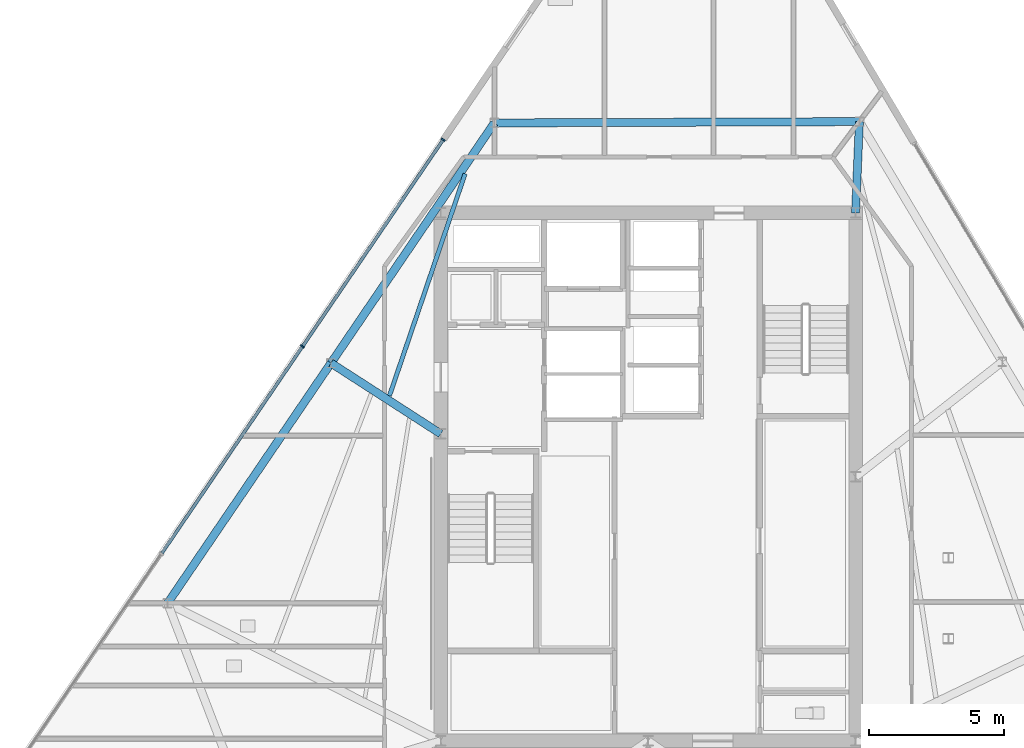
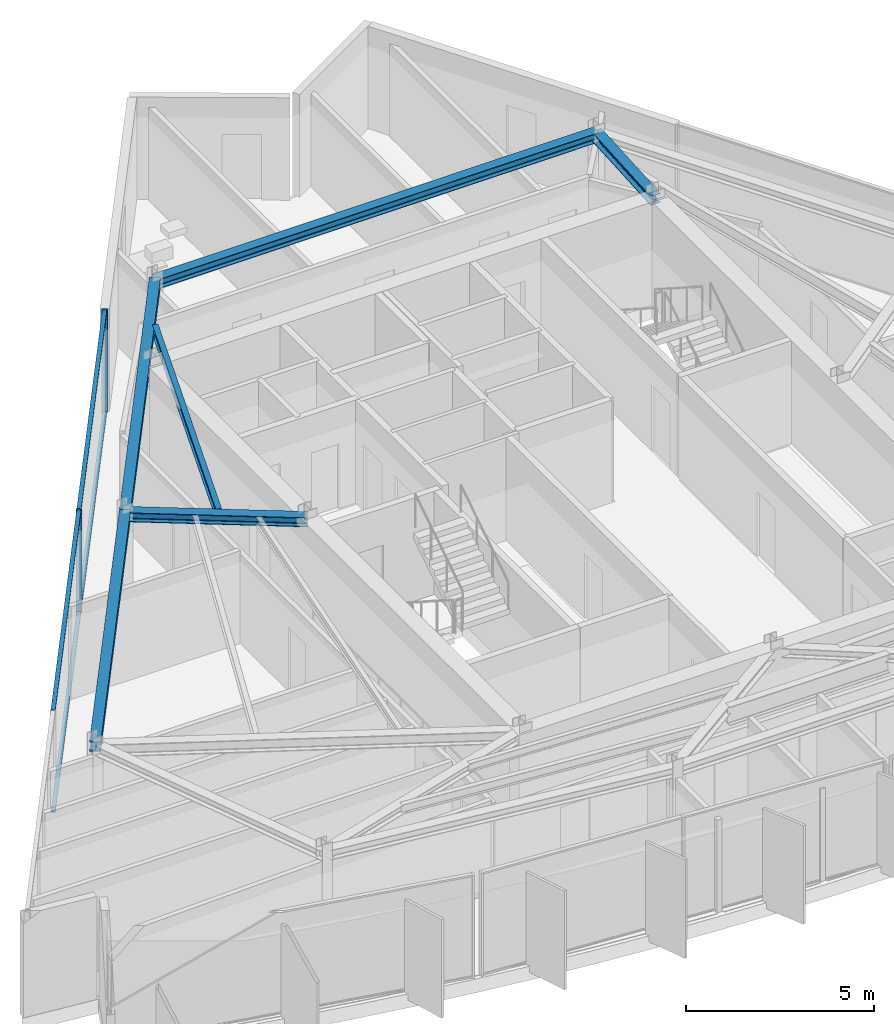
# One storey, part 5 of 14: 6 beams, 6 members, 1 element without a shape of its own.
"""IFC4 building model written with IfcOpenShell, lengths in metres."""

from ifc_helpers import new_model, si_unit, direction, frame, origin, origin_2d, place, context, subcontext, project, spatial, rectangle, i_section, extrude, material, material_profile, profile_set, type_object, element, aggregate, save


model = new_model("IFC4")

# Units and contexts
model_context = context("Model", 3, precision=1e-05, world=origin(), true_north=direction((0.0, 1.0)))
body_context = subcontext(model_context, "Body", "Model", "MODEL_VIEW")
ifc_project = project(units=[si_unit("LENGTHUNIT", "METRE"), si_unit("AREAUNIT", "SQUARE_METRE"), si_unit("VOLUMEUNIT", "CUBIC_METRE"), si_unit("PLANEANGLEUNIT", "RADIAN"), si_unit("MASSUNIT", "GRAM", prefix="KILO")], contexts=[model_context])

# Site, building, storey
site_placement = place(None, origin())
site = spatial("IfcSite", under=ifc_project, at=site_placement, CompositionType="ELEMENT")
building_placement = place(site_placement, origin())
building = spatial("IfcBuilding", under=site, at=building_placement, Name="Savorim Split Tower", CompositionType="ELEMENT")
storey_placement = place(building_placement, frame((0.0, 0.0, 294.0)))
storey = spatial("IfcBuildingStorey", under=building, at=storey_placement, Name="L78", CompositionType="ELEMENT", Elevation=294.0)

# Beams
ifc_material_1 = material(Name="Steel S355", Category="steel")
ifc_material_profile_1 = material_profile(ifc_material_1, i_section(OverallWidth=0.159912109375, OverallDepth=0.330078125, WebThickness=0.007568359375, FlangeThickness=0.011474609375, FilletRadius=0.01806640625, at=origin_2d()), Name="IPE 330")
ifc_profile_set_1 = profile_set([ifc_material_profile_1], Name="Steel S355")
beam_type_1 = type_object("IfcBeamType", Name="BM-JST-IPE330", PredefinedType="JOIST", material=ifc_profile_set_1)
beam_1_placement = place(storey_placement, frame((-6.79638671875, 11.65283203125, 3.175048828125), z_axis=(-0.322555730123, -0.9465504746, 0.0), x_axis=(0.9465504746, -0.322555730123, 0.0)))
element("IfcBeam", 1, at=beam_1_placement, inside=storey, type_object=beam_type_1, Name="L78 Secondary Floor Joist JS-09", PredefinedType="JOIST", context=body_context, shape_type="SweptSolid", body=[
    extrude(i_section(OverallWidth=0.159912109375, OverallDepth=0.330078125, WebThickness=0.007568359375, FlangeThickness=0.011474609375, FilletRadius=0.01806640625, at=origin_2d()), origin(), (0.0, 0.0, 1.0), 8.705810546875),
])
ifc_material_profile_2 = material_profile(ifc_material_1, i_section(OverallWidth=0.300048828125, OverallDepth=0.300048828125, WebThickness=0.010986328125, FlangeThickness=0.01904296875, FilletRadius=0.027099609375, at=origin_2d()), Name="HEB 300")
ifc_profile_set_2 = profile_set([ifc_material_profile_2], Name="Steel S355")
beam_type_2 = type_object("IfcBeamType", Name="BM-PRI-HEB300", PredefinedType="BEAM", material=ifc_profile_set_2)
beam_2_placement = place(storey_placement, frame((7.843017578125, 13.591064453125, 3.18994140625), z_axis=(-0.042151129609, -0.999111246195, 0.0), x_axis=(0.999111246195, -0.042151129609, 0.0)))
element("IfcBeam", 2, at=beam_2_placement, inside=storey, type_object=beam_type_2, Name="L78 Primary Floor Girder RG-07", PredefinedType="BEAM", context=body_context, shape_type="SweptSolid", body=[
    extrude(i_section(OverallWidth=0.300048828125, OverallDepth=0.300048828125, WebThickness=0.010986328125, FlangeThickness=0.01904296875, FilletRadius=0.027099609375, at=origin_2d()), origin(), (0.0, 0.0, 1.0), 3.39404296875),
])
beam_3_placement = place(storey_placement, frame((-11.775390625, 4.626708984375, 3.18994140625), z_axis=(0.840541482681, -0.541747188172, 0.0), x_axis=(0.541747188172, 0.840541482681, 0.0)))
element("IfcBeam", 3, at=beam_3_placement, inside=storey, type_object=beam_type_2, Name="L78 Primary Floor Girder RG-09", PredefinedType="BEAM", context=body_context, shape_type="SweptSolid", body=[
    extrude(i_section(OverallWidth=0.300048828125, OverallDepth=0.300048828125, WebThickness=0.010986328125, FlangeThickness=0.01904296875, FilletRadius=0.027099609375, at=origin_2d()), origin(), (0.0, 0.0, 1.0), 4.8486328125),
])
ifc_material_profile_3 = material_profile(ifc_material_1, i_section(OverallWidth=0.300048828125, OverallDepth=0.31005859375, WebThickness=0.009033203125, FlangeThickness=0.015380859375, FilletRadius=0.027099609375, at=origin_2d()), Name="HEA 320")
ifc_profile_set_3 = profile_set([ifc_material_profile_3], Name="Steel S355")
beam_type_3 = type_object("IfcBeamType", Name="BM-SPN-HEA320", PredefinedType="SPANDREL", material=ifc_profile_set_3)
beam_4_placement = place(storey_placement, frame((7.843017578125, 13.591064453125, 3.18505859375), z_axis=(-0.999993510358, -0.003602671436, 0.0), x_axis=(0.003602671436, -0.999993510358, 0.0)))
element("IfcBeam", 4, at=beam_4_placement, inside=storey, type_object=beam_type_3, Name="L78 Perimeter Spandrel Beam 7", PredefinedType="SPANDREL", context=body_context, shape_type="SweptSolid", body=[
    extrude(i_section(OverallWidth=0.300048828125, OverallDepth=0.31005859375, WebThickness=0.009033203125, FlangeThickness=0.015380859375, FilletRadius=0.027099609375, at=origin_2d()), origin(), (0.0, 0.0, 1.0), 13.55322265625),
])
for number, where, z_axis, x_axis, name in (
    (5, (-5.710205078125, 13.542236328125, 3.18505859375), (-0.56247659907, -0.826813204719, 0.0), (0.826813204719, -0.56247659907, 0.0), "L78 Perimeter Spandrel Beam 8"),
    (6, (-11.775390625, 4.626708984375, 3.18505859375), (-0.562461120761, -0.826823734319, 0.0), (0.826823734319, -0.562461120761, 0.0), "L78 Perimeter Spandrel Beam 9"),
):
    element("IfcBeam", number, at=place(storey_placement, frame(where, z_axis=z_axis, x_axis=x_axis)), inside=storey, type_object=beam_type_3, Name=name, PredefinedType="SPANDREL", context=body_context, shape_type="SweptSolid", body=[
        extrude(i_section(OverallWidth=0.300048828125, OverallDepth=0.31005859375, WebThickness=0.009033203125, FlangeThickness=0.015380859375, FilletRadius=0.027099609375, at=origin_2d()), origin(), (0.0, 0.0, 1.0), 10.782958984375),
    ])

# Curtain wall, members
ifc_material_2 = material(Name="Dark Ceramic-Fritted Insulated Glass", Category="glass")
curtain_wall_type = type_object("IfcCurtainWallType", Name="CW-TWR-FRIT-B", PredefinedType="NOTDEFINED", material=ifc_material_2)
curtain_wall_placement = place(storey_placement, origin())
curtain_wall = element("IfcCurtainWall", 7, at=curtain_wall_placement, inside=storey, type_object=curtain_wall_type, Name="L78 Curtain Wall CW-L78-WEST", PredefinedType="NOTDEFINED")
ifc_material_3 = material(Name="Charcoal Anodised Aluminium", Category="aluminium")
ifc_material_profile_4 = material_profile(ifc_material_3, rectangle(XDim=0.159912109375, YDim=0.06005859375, at=origin_2d()), Name="ALU-M 160x60")
ifc_profile_set_4 = profile_set([ifc_material_profile_4], Name="Charcoal Anodised Aluminium")
member_type_1 = type_object("IfcMemberType", Name="CWM-160x60", PredefinedType="MULLION", material=ifc_profile_set_4)
member_1_placement = place(storey_placement, frame((-7.610107421875, 12.919677734375, 0.0), z_axis=(0.0, 0.0, 1.0), x_axis=(0.826817636776, -0.562470084107, 0.0)))
member_1 = element("IfcMember", 8, at=member_1_placement, type_object=member_type_1, Name="CW-03 mullion 1", PredefinedType="MULLION", context=body_context, shape_type="SweptSolid", body=[
    extrude(rectangle(XDim=0.159912109375, YDim=0.06005859375, at=origin_2d()), origin(), (0.0, 0.0, 1.0), 3.340087890625),
])
member_2_placement = place(storey_placement, frame((-12.831298828125, 5.24462890625, 0.0), z_axis=(0.0, 0.0, 1.0), x_axis=(0.826817636776, -0.562470084107, 0.0)))
member_2 = element("IfcMember", 9, at=member_2_placement, type_object=member_type_1, Name="CW-03 mullion 2", PredefinedType="MULLION", context=body_context, shape_type="SweptSolid", body=[
    extrude(rectangle(XDim=0.159912109375, YDim=0.06005859375, at=origin_2d()), origin(), (0.0, 0.0, 1.0), 3.340087890625),
])
ifc_material_profile_5 = material_profile(ifc_material_3, rectangle(XDim=0.1201171875, YDim=0.050048828125, at=origin_2d()), Name="ALU-T 120x50")
ifc_profile_set_5 = profile_set([ifc_material_profile_5], Name="Charcoal Anodised Aluminium")
member_type_2 = type_object("IfcMemberType", Name="CWT-120x50", PredefinedType="USERDEFINED", material=ifc_profile_set_5)
member_3_placement = place(storey_placement, frame((-7.626953125, 12.894775390625, 0.02490234375), z_axis=(-0.562483063677, -0.826808806845, 0.0), x_axis=(0.826808806845, -0.562483063677, 0.0)))
member_3 = element("IfcMember", 10, at=member_3_placement, type_object=member_type_2, Name="CW-03 transom 1.1", ObjectType="TRANSOM", PredefinedType="USERDEFINED", context=body_context, shape_type="SweptSolid", body=[
    extrude(rectangle(XDim=0.1201171875, YDim=0.050048828125, at=origin_2d()), origin(), (0.0, 0.0, 1.0), 9.222412109375),
])
member_4_placement = place(storey_placement, frame((-7.626953125, 12.894775390625, 3.31494140625), z_axis=(-0.562483063677, -0.826808806845, 0.0), x_axis=(0.826808806845, -0.562483063677, 0.0)))
member_4 = element("IfcMember", 11, at=member_4_placement, type_object=member_type_2, Name="CW-03 transom 1.2", ObjectType="TRANSOM", PredefinedType="USERDEFINED", context=body_context, shape_type="SweptSolid", body=[
    extrude(rectangle(XDim=0.1201171875, YDim=0.050048828125, at=origin_2d()), origin(), (0.0, 0.0, 1.0), 9.222412109375),
])
member_5_placement = place(storey_placement, frame((-12.84814453125, 5.219970703125, 0.02490234375), z_axis=(-0.562463735755, -0.826821955417, 0.0), x_axis=(0.826821955417, -0.562463735755, 0.0)))
member_5 = element("IfcMember", 12, at=member_5_placement, type_object=member_type_2, Name="CW-03 transom 2.1", ObjectType="TRANSOM", PredefinedType="USERDEFINED", context=body_context, shape_type="SweptSolid", body=[
    extrude(rectangle(XDim=0.1201171875, YDim=0.050048828125, at=origin_2d()), origin(), (0.0, 0.0, 1.0), 9.252685546875),
])
member_6_placement = place(storey_placement, frame((-12.84814453125, 5.219970703125, 3.31494140625), z_axis=(-0.562463735755, -0.826821955417, 0.0), x_axis=(0.826821955417, -0.562463735755, 0.0)))
member_6 = element("IfcMember", 13, at=member_6_placement, type_object=member_type_2, Name="CW-03 transom 2.2", ObjectType="TRANSOM", PredefinedType="USERDEFINED", context=body_context, shape_type="SweptSolid", body=[
    extrude(rectangle(XDim=0.1201171875, YDim=0.050048828125, at=origin_2d()), origin(), (0.0, 0.0, 1.0), 9.252685546875),
])
aggregate(curtain_wall, [member_1, member_2, member_3, member_4, member_5, member_6])

save(model, "model.ifc")
